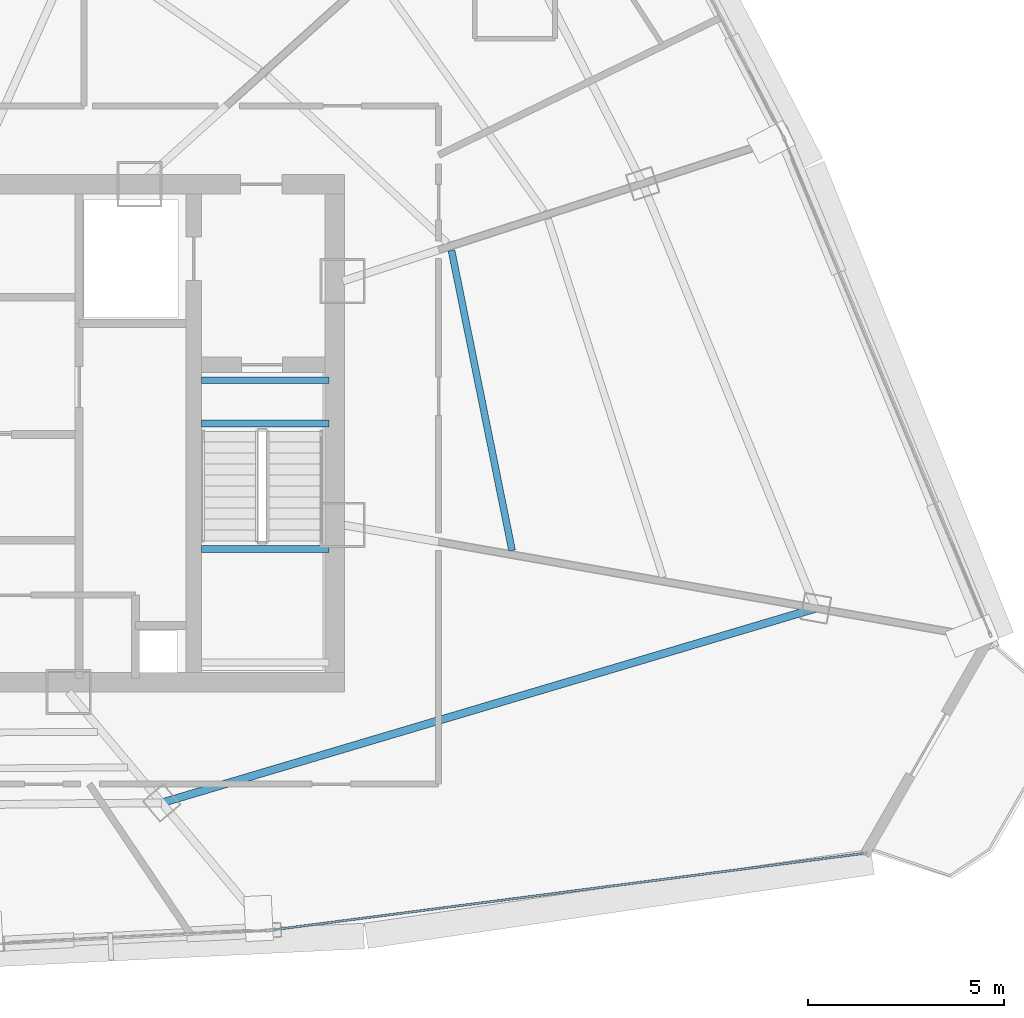
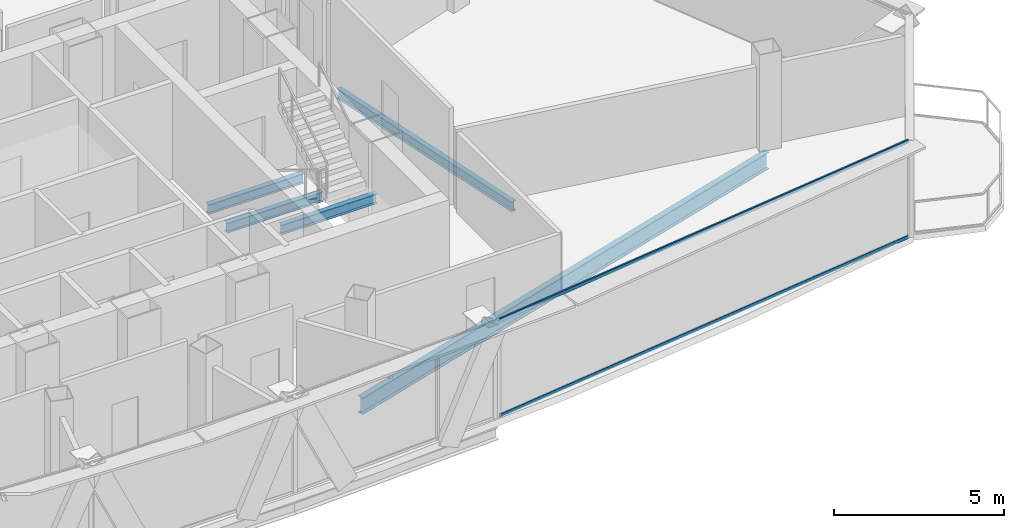
# One storey, part 13 of 34: 5 beams, 2 members, 1 element without a shape of its own.
"""IFC4 building model written with IfcOpenShell, lengths in metres."""

from ifc_helpers import new_model, si_unit, direction, frame, origin, origin_2d, place, context, subcontext, project, spatial, hollow_rectangle, i_section, extrude, source, transform, mapped, material, layer, layer_set, material_profile, profile_set, type_object, element, aggregate, save


model = new_model("IFC4")

# Units and contexts
model_context = context("Model", 3, precision=1e-05, world=origin(), true_north=direction((0.0, 1.0)))
body_context = subcontext(model_context, "Body", "Model", "MODEL_VIEW")
ifc_project = project(units=[si_unit("LENGTHUNIT", "METRE"), si_unit("AREAUNIT", "SQUARE_METRE"), si_unit("VOLUMEUNIT", "CUBIC_METRE"), si_unit("PLANEANGLEUNIT", "RADIAN"), si_unit("MASSUNIT", "GRAM", prefix="KILO"), si_unit("THERMODYNAMICTEMPERATUREUNIT", "KELVIN"), si_unit("POWERUNIT", "WATT")], contexts=[model_context])

# Site, building, storey
site_placement = place(None, origin())
site = spatial("IfcSite", under=ifc_project, at=site_placement, CompositionType="ELEMENT")
building_placement = place(site_placement, origin())
building = spatial("IfcBuilding", under=site, at=building_placement, Name="Yunzhuo Pagoda Commons", CompositionType="ELEMENT")
storey_placement = place(building_placement, frame((0.0, 0.0, 333.010009765625)))
storey = spatial("IfcBuildingStorey", under=building, at=storey_placement, Name="L83", CompositionType="ELEMENT", Elevation=333.010009765625)

# Beams
ifc_material_1 = material(Name="Structural steel Q355B", Category="steel")
ifc_material_profile_1 = material_profile(ifc_material_1, i_section(OverallWidth=0.175048828125, OverallDepth=0.35009765625, WebThickness=0.007080078125, FlangeThickness=0.010986328125, at=origin_2d()), Name="Structural steel Q355B")
ifc_profile_set_1 = profile_set([ifc_material_profile_1], Name="Structural steel Q355B")
beam_type_1 = type_object("IfcBeamType", Name="B-JS2 Joist HN 350x175x7x11", PredefinedType="JOIST", material=ifc_profile_set_1)
shared_shape_1 = source(origin(), body_context, "Body", "SweptSolid", [
    extrude(i_section(OverallWidth=0.175048828125, OverallDepth=0.35009765625, WebThickness=0.007080078125, FlangeThickness=0.010986328125, at=origin_2d()), origin(), (0.0, 0.0, 1.0), 3.25),
])
for number, where, z_axis, x_axis, name in (
    (1, (56.800048828125, 30.89990234375, 1.5), (1.0, 0.0, 0.0), (0.0, 1.0, 0.0), "L83 ST2 landing support beam 89B"),
    (2, (56.800048828125, 34.10009765625, -0.375), (1.0, 0.0, 0.0), (0.0, 1.0, 0.0), "L83 ST2 landing support beam 187A"),
    (3, (56.800048828125, 35.199951171875, -0.375), (1.0, 0.0, 0.0), (0.0, 1.0, 0.0), "L83 ST2 landing support beam 187B"),
):
    element("IfcBeam", number, at=place(storey_placement, frame(where, z_axis=z_axis, x_axis=x_axis)), inside=storey, type_object=beam_type_1, Name=name, PredefinedType="JOIST", context=body_context, shape_type="MappedRepresentation", body=[
        mapped(shared_shape_1, transform((0.0, 0.0, 0.0), scale=1.0)),
    ])
ifc_material_profile_2 = material_profile(ifc_material_1, i_section(OverallWidth=0.199951171875, OverallDepth=0.60009765625, WebThickness=0.010986328125, FlangeThickness=0.01708984375, at=origin_2d()), Name="Structural steel Q355B")
ifc_profile_set_2 = profile_set([ifc_material_profile_2], Name="Structural steel Q355B")
beam_type_2 = type_object("IfcBeamType", Name="B-RG3 Beam HN 600x200x11x17", PredefinedType="BEAM", material=ifc_profile_set_2)
shared_shape_2 = source(origin(), body_context, "Body", "SweptSolid", [
    extrude(i_section(OverallWidth=0.199951171875, OverallDepth=0.60009765625, WebThickness=0.010986328125, FlangeThickness=0.01708984375, at=origin_2d()), origin(), (0.0, 0.0, 1.0), 17.407470703125),
])
beam_1_placement = place(storey_placement, frame((55.785400390625, 24.421630859375, -0.56005859375), z_axis=(0.958484984609, 0.285143006717, 0.0), x_axis=(-0.285143006717, 0.958484984609, 0.0)))
element("IfcBeam", 4, at=beam_1_placement, inside=storey, type_object=beam_type_2, Name="L83 column-ring beam 4", PredefinedType="BEAM", context=body_context, shape_type="MappedRepresentation", body=[
    mapped(shared_shape_2, transform((0.0, 0.0, 0.0), scale=1.0)),
])
shared_shape_3 = source(origin(), body_context, "Body", "SweptSolid", [
    extrude(i_section(OverallWidth=0.175048828125, OverallDepth=0.35009765625, WebThickness=0.007080078125, FlangeThickness=0.010986328125, at=origin_2d()), origin(), (0.0, 0.0, 1.0), 7.8056640625),
])
beam_2_placement = place(storey_placement, frame((64.722412109375, 30.860107421875, -0.43505859375), z_axis=(-0.197830082137, 0.980236327934, 0.0), x_axis=(-0.980236327934, -0.197830082137, 0.0)))
element("IfcBeam", 5, at=beam_2_placement, inside=storey, type_object=beam_type_1, Name="L83 composite ring joist 1.5", PredefinedType="JOIST", context=body_context, shape_type="MappedRepresentation", body=[
    mapped(shared_shape_3, transform((0.0, 0.0, 0.0), scale=1.0)),
])

# Curtain wall, members
ifc_material_2 = material(Name="Anodized aluminium 6063-T6", Category="aluminium")
ifc_layer = layer(ifc_material_2, 0.139892578125)
ifc_layer_set = layer_set([ifc_layer], Name="Anodized aluminium 6063-T6")
curtain_wall_type = type_object("IfcCurtainWallType", Name="CW-HI High-Zone Ribbon Curtain Wall", PredefinedType="NOTDEFINED", material=ifc_layer_set)
curtain_wall_placement = place(storey_placement, origin())
curtain_wall = element("IfcCurtainWall", 6, at=curtain_wall_placement, inside=storey, type_object=curtain_wall_type, Name="L83 curtain wall CW-L83-F1B5", PredefinedType="NOTDEFINED")
ifc_material_profile_3 = material_profile(ifc_material_2, hollow_rectangle(XDim=0.054931640625, YDim=0.1201171875, WallThickness=0.00341796875, at=origin_2d()), Name="Anodized aluminium 6063-T6")
ifc_profile_set_3 = profile_set([ifc_material_profile_3], Name="Anodized aluminium 6063-T6")
member_type = type_object("IfcMemberType", Name="CW-HI-T Transom RHS 120x55x3.5", PredefinedType="USERDEFINED", material=ifc_profile_set_3)
shared_shape_4 = source(origin(), body_context, "Body", "SweptSolid", [
    extrude(hollow_rectangle(XDim=0.054931640625, YDim=0.1201171875, WallThickness=0.00341796875, at=origin_2d()), origin(), (0.0, 0.0, 1.0), 15.1572265625),
])
member_1_placement = place(storey_placement, frame((58.648193359375, 21.186767578125, 0.027587890625), z_axis=(0.991736202571, 0.128293821011, 0.0), x_axis=(-0.128293821011, 0.991736202571, 0.0)))
member_1 = element("IfcMember", 7, at=member_1_placement, type_object=member_type, Name="CW transom 1.1", ObjectType="TRANSOM", PredefinedType="USERDEFINED", context=body_context, shape_type="MappedRepresentation", body=[
    mapped(shared_shape_4, transform((0.0, 0.0, 0.0), scale=1.0)),
])
member_2_placement = place(storey_placement, frame((58.648193359375, 21.186767578125, 3.46240234375), z_axis=(0.991736202571, 0.128293821011, 0.0), x_axis=(-0.128293821011, 0.991736202571, 0.0)))
member_2 = element("IfcMember", 8, at=member_2_placement, type_object=member_type, Name="CW transom 1.2", ObjectType="TRANSOM", PredefinedType="USERDEFINED", context=body_context, shape_type="MappedRepresentation", body=[
    mapped(shared_shape_4, transform((0.0, 0.0, 0.0), scale=1.0)),
])
aggregate(curtain_wall, [member_1, member_2])

save(model, "model.ifc")
